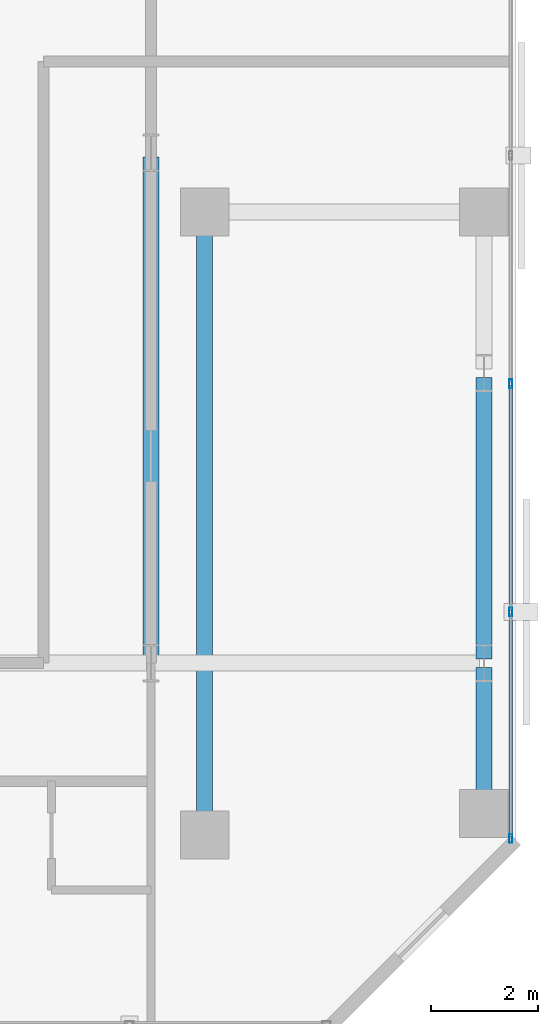
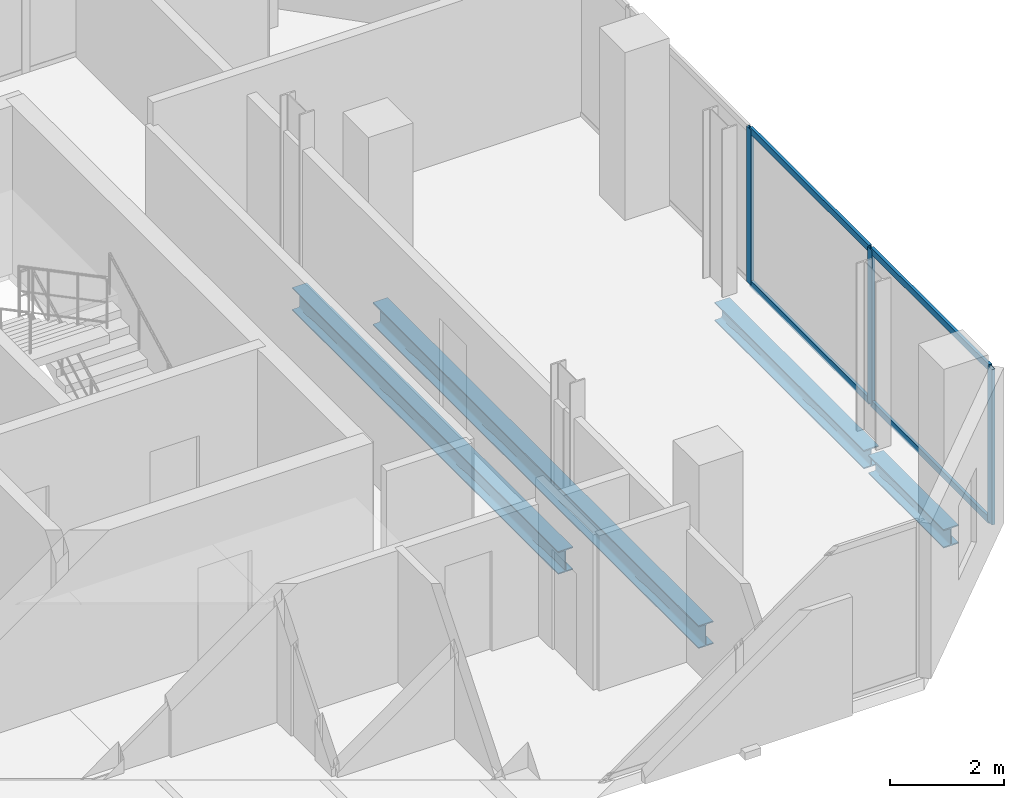
# One storey, part 16 of 34: 7 members, 4 beams, 1 element without a shape of its own.
"""IFC4 building model written with IfcOpenShell, lengths in metres."""

from ifc_helpers import new_model, si_unit, direction, frame, origin, origin_2d, place, context, subcontext, project, spatial, hollow_rectangle, i_section, extrude, material, layer, layer_set, material_profile, profile_set, type_object, element, aggregate, save


model = new_model("IFC4")

# Units and contexts
model_context = context("Model", 3, precision=1e-05, world=origin(), true_north=direction((0.0, 1.0)))
body_context = subcontext(model_context, "Body", "Model", "MODEL_VIEW")
ifc_project = project(units=[si_unit("LENGTHUNIT", "METRE"), si_unit("AREAUNIT", "SQUARE_METRE"), si_unit("VOLUMEUNIT", "CUBIC_METRE"), si_unit("PLANEANGLEUNIT", "RADIAN"), si_unit("MASSUNIT", "GRAM", prefix="KILO")], contexts=[model_context])

# Site, building, storey
site_placement = place(None, origin())
site = spatial("IfcSite", under=ifc_project, at=site_placement, CompositionType="ELEMENT")
building_placement = place(site_placement, origin())
building = spatial("IfcBuilding", under=site, at=building_placement, Name="Catumbela Crestline Tower", CompositionType="ELEMENT")
storey_placement = place(building_placement, frame((0.0, 0.0, 93.6)))
storey = spatial("IfcBuildingStorey", under=building, at=storey_placement, Name="L23", CompositionType="ELEMENT", Elevation=93.6)

# Beams
ifc_material_1 = material(Name="Structural steel S355J2", Category="steel")
ifc_material_profile_1 = material_profile(ifc_material_1, i_section(OverallWidth=0.3, OverallDepth=0.49, WebThickness=0.012, FlangeThickness=0.023, FilletRadius=0.027, at=origin_2d()), Name="HEA 500")
ifc_profile_set_1 = profile_set([ifc_material_profile_1], Name="Structural steel S355J2")
beam_type_1 = type_object("IfcBeamType", Name="BG-HEA500", PredefinedType="BEAM", material=ifc_profile_set_1)
beam_1_placement = place(storey_placement, frame((44.2, 30.88, -0.505), z_axis=(0.0, 1.0, 0.0), x_axis=(-1.0, 0.0, 0.0)))
element("IfcBeam", 1, at=beam_1_placement, inside=storey, type_object=beam_type_1, Name="L23 Beam BM-L23-SN32", PredefinedType="BEAM", context=body_context, shape_type="SweptSolid", body=[
    extrude(i_section(OverallWidth=0.3, OverallDepth=0.49, WebThickness=0.012, FlangeThickness=0.023, FilletRadius=0.027, at=origin_2d()), origin(), (0.0, 0.0, 1.0), 9.34),
])
beam_2_placement = place(storey_placement, frame((45.2, 27.68, -0.505), z_axis=(0.0, 1.0, 0.0), x_axis=(-1.0, 0.0, 0.0)))
element("IfcBeam", 2, at=beam_2_placement, inside=storey, type_object=beam_type_1, Name="L23 Beam BM-L23-SN33", PredefinedType="BEAM", context=body_context, shape_type="SweptSolid", body=[
    extrude(i_section(OverallWidth=0.3, OverallDepth=0.49, WebThickness=0.012, FlangeThickness=0.023, FilletRadius=0.027, at=origin_2d()), origin(), (0.0, 0.0, 1.0), 11.44),
])

# Curtain wall, members
ifc_material_2 = material(Name="Aluminium alloy AW-6060-T66", Category="aluminium")
ifc_layer = layer(ifc_material_2, 0.18, Name="Aluminium alloy AW-6060-T66")
ifc_layer_set = layer_set([ifc_layer], Name="Aluminium alloy AW-6060-T66")
curtain_wall_type = type_object("IfcCurtainWallType", Name="CWU-Z2", PredefinedType="USERDEFINED", material=ifc_layer_set)
curtain_wall_placement = place(storey_placement, origin())
curtain_wall = element("IfcCurtainWall", 3, at=curtain_wall_placement, inside=storey, type_object=curtain_wall_type, Name="L23 Unitised Curtain Wall CW-L23-E5S1", ObjectType="UNITISED", PredefinedType="USERDEFINED")
ifc_material_profile_2 = material_profile(ifc_material_2, hollow_rectangle(XDim=0.06, YDim=0.16, WallThickness=0.004, at=origin_2d()), Name="ALU 160x60x4")
ifc_profile_set_2 = profile_set([ifc_material_profile_2], Name="Aluminium alloy AW-6060-T66")
member_type_1 = type_object("IfcMemberType", Name="MUL-160X60", PredefinedType="MULLION", material=ifc_profile_set_2)
member_1_placement = place(storey_placement, frame((50.9, 27.5325, 0.0), z_axis=(0.0, 0.0, 1.0), x_axis=(-1.0, 0.0, 0.0)))
member_1 = element("IfcMember", 4, at=member_1_placement, type_object=member_type_1, Name="CWU-Z2 mullion 1", PredefinedType="MULLION", context=body_context, shape_type="SweptSolid", body=[
    extrude(hollow_rectangle(XDim=0.06, YDim=0.16, WallThickness=0.004, at=origin_2d()), origin(), (0.0, 0.0, 1.0), 3.33),
])
member_2_placement = place(storey_placement, frame((50.9, 31.75, 0.0), z_axis=(0.0, 0.0, 1.0), x_axis=(-1.0, 0.0, 0.0)))
member_2 = element("IfcMember", 5, at=member_2_placement, type_object=member_type_1, Name="CWU-Z2 mullion 2", PredefinedType="MULLION", context=body_context, shape_type="SweptSolid", body=[
    extrude(hollow_rectangle(XDim=0.06, YDim=0.16, WallThickness=0.004, at=origin_2d()), origin(), (0.0, 0.0, 1.0), 3.33),
])
member_3_placement = place(storey_placement, frame((50.9, 36.0, 0.0), z_axis=(0.0, 0.0, 1.0), x_axis=(-1.0, 0.0, 0.0)))
member_3 = element("IfcMember", 6, at=member_3_placement, type_object=member_type_1, Name="CWU-Z2 mullion 3", PredefinedType="MULLION", context=body_context, shape_type="SweptSolid", body=[
    extrude(hollow_rectangle(XDim=0.06, YDim=0.16, WallThickness=0.004, at=origin_2d()), origin(), (0.0, 0.0, 1.0), 3.33),
])

# Beams
ifc_material_profile_3 = material_profile(ifc_material_1, i_section(OverallWidth=0.3, OverallDepth=0.4, WebThickness=0.0135, FlangeThickness=0.024, FilletRadius=0.027, at=origin_2d()), Name="HEB 400")
ifc_profile_set_3 = profile_set([ifc_material_profile_3], Name="Structural steel S355J2")
beam_type_2 = type_object("IfcBeamType", Name="BS-HEB400", PredefinedType="SPANDREL", material=ifc_profile_set_3)
beam_3_placement = place(storey_placement, frame((50.4, 28.08, -0.46), z_axis=(0.0, 1.0, 0.0), x_axis=(-1.0, 0.0, 0.0)))
element("IfcBeam", 7, at=beam_3_placement, inside=storey, type_object=beam_type_2, Name="L23 Spandrel SP-L23-SN34", PredefinedType="SPANDREL", context=body_context, shape_type="SweptSolid", body=[
    extrude(i_section(OverallWidth=0.3, OverallDepth=0.4, WebThickness=0.0135, FlangeThickness=0.024, FilletRadius=0.027, at=origin_2d()), origin(), (0.0, 0.0, 1.0), 2.64),
])
beam_4_placement = place(storey_placement, frame((50.4, 30.88, -0.46), z_axis=(0.0, 1.0, 0.0), x_axis=(-1.0, 0.0, 0.0)))
element("IfcBeam", 8, at=beam_4_placement, inside=storey, type_object=beam_type_2, Name="L23 Spandrel SP-L23-SN35", PredefinedType="SPANDREL", context=body_context, shape_type="SweptSolid", body=[
    extrude(i_section(OverallWidth=0.3, OverallDepth=0.4, WebThickness=0.0135, FlangeThickness=0.024, FilletRadius=0.027, at=origin_2d()), origin(), (0.0, 0.0, 1.0), 5.24),
])

# Member
ifc_material_profile_4 = material_profile(ifc_material_2, hollow_rectangle(XDim=0.06, YDim=0.14, WallThickness=0.004, at=origin_2d()), Name="ALU 140x60x4")
ifc_profile_set_4 = profile_set([ifc_material_profile_4], Name="Aluminium alloy AW-6060-T66")
member_type_2 = type_object("IfcMemberType", Name="TRN-140X60", PredefinedType="USERDEFINED", material=ifc_profile_set_4)
member_4_placement = place(storey_placement, frame((50.9, 27.565, 0.03), z_axis=(0.0, 1.0, 0.0), x_axis=(-1.0, 0.0, 0.0)))
member_4 = element("IfcMember", 9, at=member_4_placement, type_object=member_type_2, Name="CWU-Z2 transom 1.1", ObjectType="TRANSOM", PredefinedType="USERDEFINED", context=body_context, shape_type="SweptSolid", body=[
    extrude(hollow_rectangle(XDim=0.06, YDim=0.14, WallThickness=0.004, at=origin_2d()), origin(), (0.0, 0.0, 1.0), 4.1525),
])

member_5_placement = place(storey_placement, frame((50.9, 27.565, 3.3), z_axis=(0.0, 1.0, 0.0), x_axis=(-1.0, 0.0, 0.0)))
member_5 = element("IfcMember", 10, at=member_5_placement, type_object=member_type_2, Name="CWU-Z2 transom 1.2", ObjectType="TRANSOM", PredefinedType="USERDEFINED", context=body_context, shape_type="SweptSolid", body=[
    extrude(hollow_rectangle(XDim=0.06, YDim=0.14, WallThickness=0.004, at=origin_2d()), origin(), (0.0, 0.0, 1.0), 4.1525),
])

member_6_placement = place(storey_placement, frame((50.9, 31.7825, 0.03), z_axis=(0.0, 1.0, 0.0), x_axis=(-1.0, 0.0, 0.0)))
member_6 = element("IfcMember", 11, at=member_6_placement, type_object=member_type_2, Name="CWU-Z2 transom 2.1", ObjectType="TRANSOM", PredefinedType="USERDEFINED", context=body_context, shape_type="SweptSolid", body=[
    extrude(hollow_rectangle(XDim=0.06, YDim=0.14, WallThickness=0.004, at=origin_2d()), origin(), (0.0, 0.0, 1.0), 4.185),
])

member_7_placement = place(storey_placement, frame((50.9, 31.7825, 3.3), z_axis=(0.0, 1.0, 0.0), x_axis=(-1.0, 0.0, 0.0)))
member_7 = element("IfcMember", 12, at=member_7_placement, type_object=member_type_2, Name="CWU-Z2 transom 2.2", ObjectType="TRANSOM", PredefinedType="USERDEFINED", context=body_context, shape_type="SweptSolid", body=[
    extrude(hollow_rectangle(XDim=0.06, YDim=0.14, WallThickness=0.004, at=origin_2d()), origin(), (0.0, 0.0, 1.0), 4.185),
])

aggregate(curtain_wall, [member_1, member_2, member_3, member_4, member_5, member_6, member_7])

save(model, "model.ifc")
